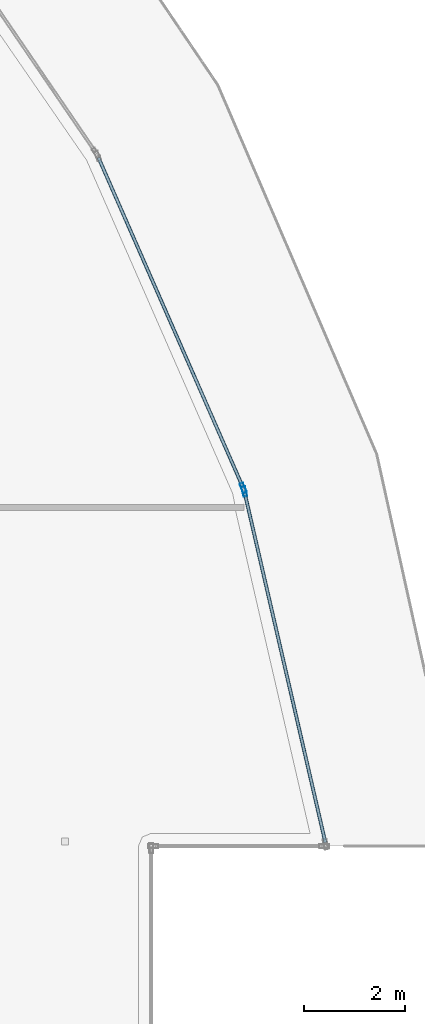
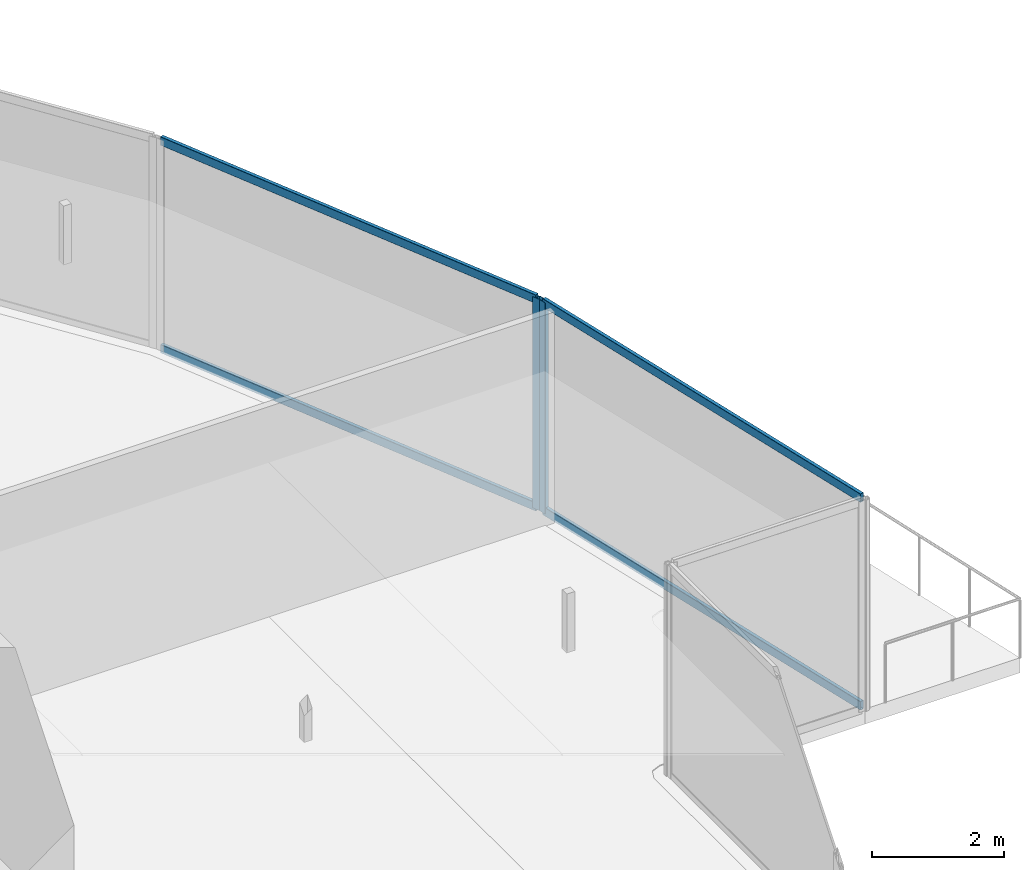
# One storey, part 26 of 47: 6 members, 2 elements without a shape of their own.
"""IFC4 building model written with IfcOpenShell, lengths in metres."""

from ifc_helpers import new_model, si_unit, direction, frame, origin, origin_2d, place, context, subcontext, project, spatial, hollow_rectangle, extrude, material, layer, layer_set, material_profile, profile_set, type_object, element, aggregate, save


model = new_model("IFC4")

# Units and contexts
model_context = context("Model", 3, precision=1e-05, world=origin(), true_north=direction((0.0, 1.0)))
body_context = subcontext(model_context, "Body", "Model", "MODEL_VIEW")
ifc_project = project(units=[si_unit("LENGTHUNIT", "METRE"), si_unit("AREAUNIT", "SQUARE_METRE"), si_unit("VOLUMEUNIT", "CUBIC_METRE"), si_unit("PLANEANGLEUNIT", "RADIAN"), si_unit("MASSUNIT", "GRAM", prefix="KILO")], contexts=[model_context])

# Site, building, storey
site_placement = place(None, origin())
site = spatial("IfcSite", under=ifc_project, at=site_placement, CompositionType="ELEMENT")
building_placement = place(site_placement, origin())
building = spatial("IfcBuilding", under=site, at=building_placement, Name="Qorvath Tower", CompositionType="ELEMENT")
storey_placement = place(building_placement, frame((0.0, 0.0, 74.39990234375)))
storey = spatial("IfcBuildingStorey", under=building, at=storey_placement, Name="L16", CompositionType="ELEMENT", Elevation=74.39990234375)

# Curtain wall, member
ifc_material_1 = material(Name="Anodised aluminium and triple low-E glass", Category="aluminium")
ifc_layer = layer(ifc_material_1, 0.179931640625)
ifc_layer_set = layer_set([ifc_layer], Name="CW-SYS-5")
curtain_wall_type = type_object("IfcCurtainWallType", Name="CW-SYS-5", PredefinedType="NOTDEFINED", material=ifc_layer_set)
curtain_wall_1_placement = place(storey_placement, origin())
curtain_wall_1 = element("IfcCurtainWall", 1, at=curtain_wall_1_placement, inside=storey, type_object=curtain_wall_type, Name="Curtain Wall CW-5 CW-T-L16-15.1", PredefinedType="NOTDEFINED")
ifc_material_2 = material(Name="Anodised aluminium 6063-T6", Category="aluminium")
ifc_material_profile_1 = material_profile(ifc_material_2, hollow_rectangle(XDim=0.074951171875, YDim=0.199951171875, WallThickness=0.00390625, InnerFilletRadius=0.00390625, OuterFilletRadius=0.008056640625, at=origin_2d()), Name="CWM 200x75")
ifc_profile_set_1 = profile_set([ifc_material_profile_1], Name="Anodised aluminium 6063-T6")
member_type_1 = type_object("IfcMemberType", Name="CWM-200", PredefinedType="MULLION", material=ifc_profile_set_1)
member_1_placement = place(storey_placement, frame((4.533935546875, 12.194580078125, 0.0), z_axis=(0.0, 0.0, 1.0), x_axis=(-0.97438839911, -0.224871624887, 0.0)))
member_1 = element("IfcMember", 2, at=member_1_placement, type_object=member_type_1, Name="CW-5 mullion 2", PredefinedType="MULLION", context=body_context, shape_type="SweptSolid", body=[
    extrude(hollow_rectangle(XDim=0.074951171875, YDim=0.199951171875, WallThickness=0.00390625, InnerFilletRadius=0.00390625, OuterFilletRadius=0.008056640625, at=origin_2d()), origin(), (0.0, 0.0, 1.0), 3.920166015625),
])

curtain_wall_2_placement = place(storey_placement, origin())
curtain_wall_2 = element("IfcCurtainWall", 3, at=curtain_wall_2_placement, inside=storey, type_object=curtain_wall_type, Name="Curtain Wall CW-5 CW-T-L16-16.1", PredefinedType="NOTDEFINED")
member_2_placement = place(storey_placement, frame((4.510498046875, 12.265380859375, 0.0), z_axis=(0.0, 0.0, 1.0), x_axis=(-0.915913444211, -0.401375837231, 0.0)))
member_2 = element("IfcMember", 4, at=member_2_placement, type_object=member_type_1, Name="CW-5 mullion 1", PredefinedType="MULLION", context=body_context, shape_type="SweptSolid", body=[
    extrude(hollow_rectangle(XDim=0.074951171875, YDim=0.199951171875, WallThickness=0.00390625, InnerFilletRadius=0.00390625, OuterFilletRadius=0.008056640625, at=origin_2d()), origin(), (0.0, 0.0, 1.0), 3.920166015625),
])

# Member
ifc_material_3 = material(Name="Anodised aluminium 6063-T6", Category="aluminium")
ifc_material_profile_2 = material_profile(ifc_material_3, hollow_rectangle(XDim=0.06494140625, YDim=0.159912109375, WallThickness=0.00341796875, InnerFilletRadius=0.00341796875, OuterFilletRadius=0.007080078125, at=origin_2d()), Name="CWT 160x65")
ifc_profile_set_2 = profile_set([ifc_material_profile_2], Name="Anodised aluminium 6063-T6")
member_type_2 = type_object("IfcMemberType", Name="CWT-160", PredefinedType="USERDEFINED", material=ifc_profile_set_2)
member_3_placement = place(storey_placement, frame((6.135009765625, 5.257080078125, 0.032470703125), z_axis=(-0.224862024329, 0.9743906147, 0.0), x_axis=(-0.9743906147, -0.224862024329, 0.0)))
member_3 = element("IfcMember", 5, at=member_3_placement, type_object=member_type_2, Name="CW-5 transom 1.1", ObjectType="TRANSOM", PredefinedType="USERDEFINED", context=body_context, shape_type="SweptSolid", body=[
    extrude(hollow_rectangle(XDim=0.06494140625, YDim=0.159912109375, WallThickness=0.00341796875, InnerFilletRadius=0.00341796875, OuterFilletRadius=0.007080078125, at=origin_2d()), origin(), (0.0, 0.0, 1.0), 7.082275390625),
])

member_4_placement = place(storey_placement, frame((6.135009765625, 5.257080078125, 3.8876953125), z_axis=(-0.224862024329, 0.9743906147, 0.0), x_axis=(-0.9743906147, -0.224862024329, 0.0)))
member_4 = element("IfcMember", 6, at=member_4_placement, type_object=member_type_2, Name="CW-5 transom 1.2", ObjectType="TRANSOM", PredefinedType="USERDEFINED", context=body_context, shape_type="SweptSolid", body=[
    extrude(hollow_rectangle(XDim=0.06494140625, YDim=0.159912109375, WallThickness=0.00341796875, InnerFilletRadius=0.00341796875, OuterFilletRadius=0.007080078125, at=origin_2d()), origin(), (0.0, 0.0, 1.0), 7.082275390625),
])

aggregate(curtain_wall_1, [member_1, member_3, member_4])

member_5_placement = place(storey_placement, frame((4.49560546875, 12.2998046875, 0.032470703125), z_axis=(-0.401399249967, 0.915903183817, 0.0), x_axis=(-0.915903183817, -0.401399249967, 0.0)))
member_5 = element("IfcMember", 7, at=member_5_placement, type_object=member_type_2, Name="CW-5 transom 1.1", ObjectType="TRANSOM", PredefinedType="USERDEFINED", context=body_context, shape_type="SweptSolid", body=[
    extrude(hollow_rectangle(XDim=0.06494140625, YDim=0.159912109375, WallThickness=0.00341796875, InnerFilletRadius=0.00341796875, OuterFilletRadius=0.007080078125, at=origin_2d()), origin(), (0.0, 0.0, 1.0), 7.082275390625),
])

member_6_placement = place(storey_placement, frame((4.49560546875, 12.2998046875, 3.8876953125), z_axis=(-0.401399249967, 0.915903183817, 0.0), x_axis=(-0.915903183817, -0.401399249967, 0.0)))
member_6 = element("IfcMember", 8, at=member_6_placement, type_object=member_type_2, Name="CW-5 transom 1.2", ObjectType="TRANSOM", PredefinedType="USERDEFINED", context=body_context, shape_type="SweptSolid", body=[
    extrude(hollow_rectangle(XDim=0.06494140625, YDim=0.159912109375, WallThickness=0.00341796875, InnerFilletRadius=0.00341796875, OuterFilletRadius=0.007080078125, at=origin_2d()), origin(), (0.0, 0.0, 1.0), 7.082275390625),
])

aggregate(curtain_wall_2, [member_2, member_5, member_6])

save(model, "model.ifc")
